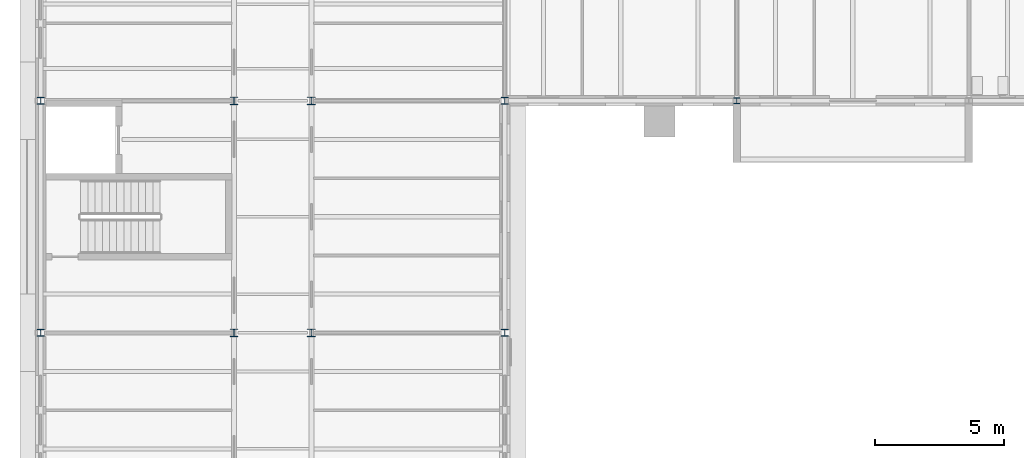
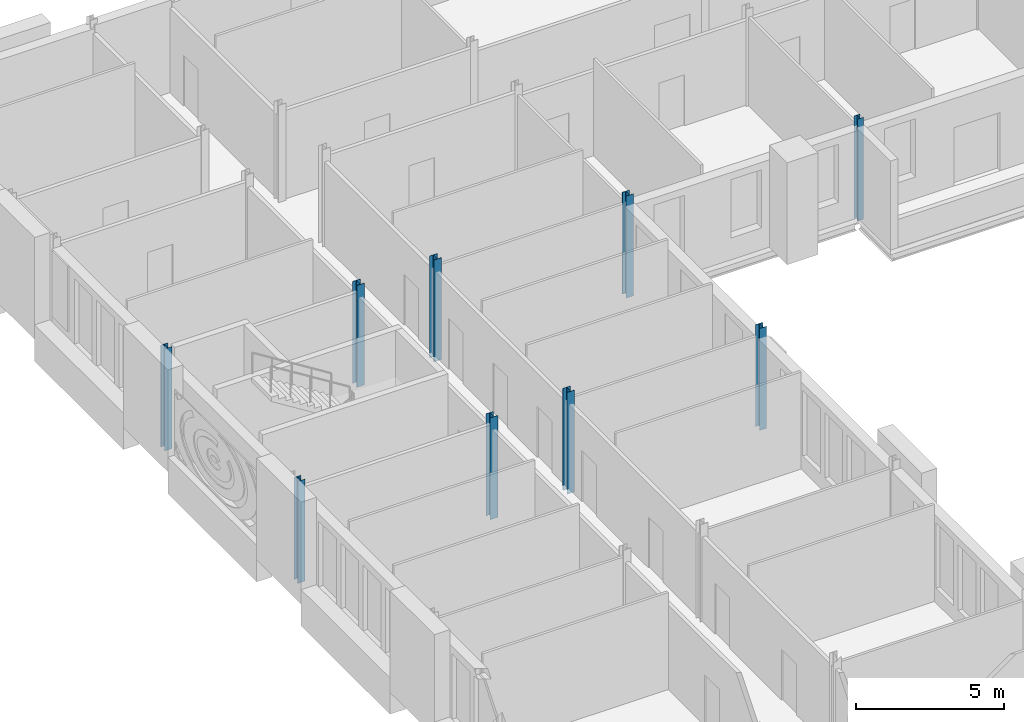
# One storey, part 9 of 154: 9 columns.
"""IFC4 building model written with IfcOpenShell, lengths in metres."""

import ifcopenshell
import ifcopenshell.guid

model = None  # the IFC model being written
_history = None  # IfcOwnerHistory: only IFC2X3 demands one
_inside = {}  # id of a spatial element -> (the spatial element, [elements in it])
_under = {}  # id of a project, library or spatial element -> (it, [spatial elements below it])
_declared = {}  # id of a project -> (the project, [libraries it declares])
_typed = {}  # id of a type object -> (the type object, [elements of that type])
_made_of = {}  # id of a material, layer set ... -> (it, [elements and type objects made of it])


def new_model(schema):
    """Start an empty IFC model of exactly this schema.

    Asked for "IFC4X3", IfcOpenShell would pick the latest addendum, in which some entities
    have other attributes; the version numbers below select the first issue.
    IFC2X3 requires an IfcOwnerHistory on every rooted entity: one is made here for all.
    """
    global model, _history
    if schema == "IFC4X3":
        model = ifcopenshell.file(schema_version=(4, 3, 0, 0))
    else:
        model = ifcopenshell.file(schema=schema)
    _inside.clear()
    _under.clear()
    _declared.clear()
    _typed.clear()
    _made_of.clear()
    _history = None
    if model.schema == "IFC2X3":
        org = make("IfcOrganization", Name="unknown")
        user = make(
            "IfcPersonAndOrganization",
            ThePerson=make("IfcPerson", FamilyName="unknown"),
            TheOrganization=org,
        )
        app = make(
            "IfcApplication",
            ApplicationDeveloper=org,
            Version="unknown",
            ApplicationFullName="unknown",
            ApplicationIdentifier="unknown",
        )
        _history = make(
            "IfcOwnerHistory",
            OwningUser=user,
            OwningApplication=app,
            ChangeAction="ADDED",
            CreationDate=0,
        )
    return model


def make(cls, **values):
    """One entity of the class cls with the attributes given. An attribute that is None is left unset."""
    return model.create_entity(
        cls, **{name: value for name, value in values.items() if value is not None}
    )


def rooted(cls, **values):
    """An entity with a GlobalId (a new one), such as an element, a storey or a relation."""
    return make(cls, GlobalId=ifcopenshell.guid.new(), OwnerHistory=_history, **values)


def si_unit(unit_type, name, prefix=None):
    """IfcSIUnit, for example si_unit("LENGTHUNIT", "METRE", prefix="MILLI")."""
    return make("IfcSIUnit", UnitType=unit_type, Prefix=prefix, Name=name)


def assignment(units):
    """IfcUnitAssignment: the units of a project."""
    return None if units is None else make("IfcUnitAssignment", Units=units)


def point(xyz):
    """IfcCartesianPoint."""
    return None if xyz is None else make("IfcCartesianPoint", Coordinates=xyz)


def direction(xyz):
    """IfcDirection."""
    return None if xyz is None else make("IfcDirection", DirectionRatios=xyz)


def frame(location, z_axis=None, x_axis=None):
    """IfcAxis2Placement3D, a coordinate frame: its origin and axes. An axis left out is left unset."""
    return make(
        "IfcAxis2Placement3D",
        Location=point(location),
        Axis=direction(z_axis),
        RefDirection=direction(x_axis),
    )


def frame_2d(location, x_axis=None):
    """IfcAxis2Placement2D, a coordinate frame in the plane: its origin and x axis."""
    return make(
        "IfcAxis2Placement2D", Location=point(location), RefDirection=direction(x_axis)
    )


def origin():
    """The frame at (0, 0, 0) with its axes left unset."""
    return frame((0.0, 0.0, 0.0))


def origin_2d():
    """The frame at (0, 0) in the plane with its x axis left unset."""
    return frame_2d((0.0, 0.0))


def place(relative_to, where):
    """IfcLocalPlacement: puts the frame where relative to a parent placement (None: the world)."""
    return make(
        "IfcLocalPlacement", PlacementRelTo=relative_to, RelativePlacement=where
    )


def context(
    kind, dimensions, precision=None, world=None, true_north=None, identifier=None
):
    """IfcGeometricRepresentationContext, for example the 3D "Model" context."""
    return make(
        "IfcGeometricRepresentationContext",
        ContextIdentifier=identifier,
        ContextType=kind,
        CoordinateSpaceDimension=dimensions,
        Precision=precision,
        WorldCoordinateSystem=world,
        TrueNorth=true_north,
    )


def subcontext(parent, identifier, kind, view, scale=None):
    """IfcGeometricRepresentationSubContext, for example "Body" below "Model"."""
    return make(
        "IfcGeometricRepresentationSubContext",
        ContextIdentifier=identifier,
        ContextType=kind,
        ParentContext=parent,
        TargetScale=scale,
        TargetView=view,
    )


def project(units=None, contexts=None):
    """IfcProject with its units and contexts."""
    return rooted(
        "IfcProject",
        Name="project",
        RepresentationContexts=contexts,
        UnitsInContext=assignment(units),
    )


def spatial(cls, under=None, at=None, **own):
    """A site, building, storey or space (cls), placed at a placement, below another one or the project."""
    s = rooted(cls, ObjectPlacement=at, **own)
    if under is not None:
        _under.setdefault(under.id(), (under, []))[1].append(s)
    return s


def profile(cls, at=None, kind="AREA", **sizes):
    """A parametric profile (cls). Its sizes go by their IFC names, for example OverallWidth=200.0."""
    return make(cls, ProfileType=kind, Position=at, **sizes)


def i_section(**sizes):
    """IfcIShapeProfileDef."""
    return profile("IfcIShapeProfileDef", **sizes)


def extrude(swept, where, along, depth):
    """IfcExtrudedAreaSolid: the profile swept, set in the frame where, extruded along a direction by depth."""
    return make(
        "IfcExtrudedAreaSolid",
        SweptArea=swept,
        Position=where,
        ExtrudedDirection=direction(along),
        Depth=depth,
    )


def shape(context_of_items, identifier, shape_type, items):
    """IfcShapeRepresentation: the items that make up one representation, for example the "Body"."""
    return make(
        "IfcShapeRepresentation",
        ContextOfItems=context_of_items,
        RepresentationIdentifier=identifier,
        RepresentationType=shape_type,
        Items=items,
    )


def material(Name=None, Category=None):
    """IfcMaterial."""
    return make("IfcMaterial", Name=Name, Category=Category)


def material_profile(
    of_material, cross_section, Name=None, Category=None, Priority=None
):
    """IfcMaterialProfile: a cross section and its material."""
    return make(
        "IfcMaterialProfile",
        Name=Name,
        Material=of_material,
        Profile=cross_section,
        Priority=Priority,
        Category=Category,
    )


def profile_set(profiles, Name=None, composite=None):
    """IfcMaterialProfileSet."""
    return make(
        "IfcMaterialProfileSet",
        Name=Name,
        MaterialProfiles=profiles,
        CompositeProfile=composite,
    )


def made_of(thing, what):
    """Note that an element or type object is made of a material, layer set ...; save() writes the relation."""
    if what is not None:
        _made_of.setdefault(what.id(), (what, []))[1].append(thing)
    return thing


def type_object(cls, material=None, **own):
    """A type object (cls), such as IfcWallType, which elements share."""
    return made_of(rooted(cls, **own), material)


def element(
    cls,
    number,
    at=None,
    inside=None,
    cuts=None,
    type_object=None,
    material=None,
    context=None,
    identifier="Body",
    shape_type=None,
    held_by="IfcProductDefinitionShape",
    body=None,
    shapes=None,
    **own,
):
    """One element of the class cls, such as IfcWall. Its Tag is "e" and its number.

    at: its placement. inside: the storey or other place that contains it. cuts: it is an
    opening in that element (IfcRelVoidsElement). A single representation is given by context,
    identifier, shape_type and body (its items); several are given by shapes. held_by: the class
    of the entity that holds the representations. save() writes the other relations.
    """
    e = rooted(cls, Tag="e%d" % number, ObjectPlacement=at, **own)
    if body is not None:
        shapes = [shape(context, identifier, shape_type, body)]
    if shapes is not None:
        e.Representation = make(held_by, Representations=shapes)
    if inside is not None:
        _inside.setdefault(inside.id(), (inside, []))[1].append(e)
    if cuts is not None:
        rooted(
            "IfcRelVoidsElement", RelatingBuildingElement=cuts, RelatedOpeningElement=e
        )
    if type_object is not None:
        _typed.setdefault(type_object.id(), (type_object, []))[1].append(e)
    return made_of(e, material)


def aggregate(whole, parts):
    """IfcRelAggregates: a whole, such as a stair, and the parts it consists of."""
    return rooted("IfcRelAggregates", RelatingObject=whole, RelatedObjects=parts)


def save(model, path):
    """Write the relations noted so far, then the file.

    IfcRelAggregates (storeys below a building ...), IfcRelContainedInSpatialStructure (elements
    in a storey), IfcRelDefinesByType, IfcRelAssociatesMaterial and IfcRelDeclares: one each for
    every whole, place, type object, material and project.
    """
    for whole, parts in _under.values():
        aggregate(whole, parts)
    for where, things in _inside.values():
        rooted(
            "IfcRelContainedInSpatialStructure",
            RelatedElements=things,
            RelatingStructure=where,
        )
    for kind, things in _typed.values():
        rooted("IfcRelDefinesByType", RelatedObjects=things, RelatingType=kind)
    for what, things in _made_of.values():
        rooted("IfcRelAssociatesMaterial", RelatedObjects=things, RelatingMaterial=what)
    for by, libraries in _declared.values():
        rooted("IfcRelDeclares", RelatingContext=by, RelatedDefinitions=libraries)
    model.write(path)


model = new_model("IFC4")

# Units and contexts
model_context = context("Model", 3, precision=1e-05, world=origin(), true_north=direction((0.0, 1.0)))
body_context = subcontext(model_context, "Body", "Model", "MODEL_VIEW")
ifc_project = project(units=[si_unit("LENGTHUNIT", "METRE"), si_unit("AREAUNIT", "SQUARE_METRE"), si_unit("VOLUMEUNIT", "CUBIC_METRE"), si_unit("PLANEANGLEUNIT", "RADIAN"), si_unit("MASSUNIT", "GRAM", prefix="KILO")], contexts=[model_context])

# Site, building, storey
site_placement = place(None, origin())
site = spatial("IfcSite", under=ifc_project, at=site_placement, CompositionType="ELEMENT")
building_placement = place(site_placement, origin())
building = spatial("IfcBuilding", under=site, at=building_placement, Name="Golden Quay Civic Hall", CompositionType="ELEMENT")
storey_placement = place(building_placement, frame((0.0, 0.0, 14.39990234375)))
storey = spatial("IfcBuildingStorey", under=building, at=storey_placement, Name="L03", CompositionType="ELEMENT", Elevation=14.39990234375)

# Columns
ifc_material_1 = material(Name="Steel S355", Category="steel")
ifc_material_profile_1 = material_profile(ifc_material_1, i_section(OverallWidth=0.239990234375, OverallDepth=0.22998046875, WebThickness=0.007568359375, FlangeThickness=0.011962890625, FilletRadius=0.02099609375, at=origin_2d()), Name="HEA 240")
ifc_profile_set_1 = profile_set([ifc_material_profile_1], Name="Steel S355")
column_type_1 = type_object("IfcColumnType", Name="Steel column HEA 240", PredefinedType="COLUMN", material=ifc_profile_set_1)
column_placement = place(storey_placement, frame((27.0, 63.0, -0.199951171875), z_axis=(0.0, 0.0, 1.0), x_axis=(1.0, 0.0, 0.0)))
element("IfcColumn", 1, at=column_placement, inside=storey, type_object=column_type_1, Name="Column 27/63 L03", PredefinedType="COLUMN", context=body_context, shape_type="SweptSolid", body=[
    extrude(i_section(OverallWidth=0.239990234375, OverallDepth=0.22998046875, WebThickness=0.007568359375, FlangeThickness=0.011962890625, FilletRadius=0.02099609375, at=origin_2d()), origin(), (0.0, 0.0, 1.0), 4.199951171875),
])
ifc_material_2 = material(Name="Steel S355", Category="steel")
ifc_material_profile_2 = material_profile(ifc_material_2, i_section(OverallWidth=0.280029296875, OverallDepth=0.27001953125, WebThickness=0.008056640625, FlangeThickness=0.012939453125, FilletRadius=0.02392578125, at=origin_2d()), Name="HEA 280")
ifc_profile_set_2 = profile_set([ifc_material_profile_2], Name="Steel S355")
column_type_2 = type_object("IfcColumnType", Name="Steel column HEA 280", PredefinedType="COLUMN", material=ifc_profile_set_2)
for number, where, z_axis, x_axis, name in (
    (2, (0.0, 54.0, -0.199951171875), (0.0, 0.0, 1.0), (1.0, 0.0, 0.0), "Column 0/54 L03"),
    (3, (0.0, 63.0, -0.199951171875), (0.0, 0.0, 1.0), (1.0, 0.0, 0.0), "Column 0/63 L03"),
    (4, (18.0, 54.0, -0.199951171875), (0.0, 0.0, 1.0), (1.0, 0.0, 0.0), "Column 18/54 L03"),
    (5, (18.0, 63.0, -0.199951171875), (0.0, 0.0, 1.0), (1.0, 0.0, 0.0), "Column 18/63 L03"),
):
    element("IfcColumn", number, at=place(storey_placement, frame(where, z_axis=z_axis, x_axis=x_axis)), inside=storey, type_object=column_type_2, Name=name, PredefinedType="COLUMN", context=body_context, shape_type="SweptSolid", body=[
        extrude(i_section(OverallWidth=0.280029296875, OverallDepth=0.27001953125, WebThickness=0.008056640625, FlangeThickness=0.012939453125, FilletRadius=0.02392578125, at=origin_2d()), origin(), (0.0, 0.0, 1.0), 4.199951171875),
    ])
ifc_material_3 = material(Name="Steel S355", Category="steel")
ifc_material_profile_3 = material_profile(ifc_material_3, i_section(OverallWidth=0.300048828125, OverallDepth=0.2900390625, WebThickness=0.008544921875, FlangeThickness=0.013916015625, FilletRadius=0.027099609375, at=origin_2d()), Name="HEA 300")
ifc_profile_set_3 = profile_set([ifc_material_profile_3], Name="Steel S355")
column_type_3 = type_object("IfcColumnType", Name="Steel column HEA 300", PredefinedType="COLUMN", material=ifc_profile_set_3)
for number, where, z_axis, x_axis, name in (
    (6, (7.5, 54.0, -0.199951171875), (0.0, 0.0, 1.0), (1.0, 0.0, 0.0), "Column 7.5/54 L03"),
    (7, (7.5, 63.0, -0.199951171875), (0.0, 0.0, 1.0), (1.0, 0.0, 0.0), "Column 7.5/63 L03"),
    (8, (10.5, 54.0, -0.199951171875), (0.0, 0.0, 1.0), (1.0, 0.0, 0.0), "Column 10.5/54 L03"),
    (9, (10.5, 63.0, -0.199951171875), (0.0, 0.0, 1.0), (1.0, 0.0, 0.0), "Column 10.5/63 L03"),
):
    element("IfcColumn", number, at=place(storey_placement, frame(where, z_axis=z_axis, x_axis=x_axis)), inside=storey, type_object=column_type_3, Name=name, PredefinedType="COLUMN", context=body_context, shape_type="SweptSolid", body=[
        extrude(i_section(OverallWidth=0.300048828125, OverallDepth=0.2900390625, WebThickness=0.008544921875, FlangeThickness=0.013916015625, FilletRadius=0.027099609375, at=origin_2d()), origin(), (0.0, 0.0, 1.0), 4.199951171875),
    ])

save(model, "model.ifc")
